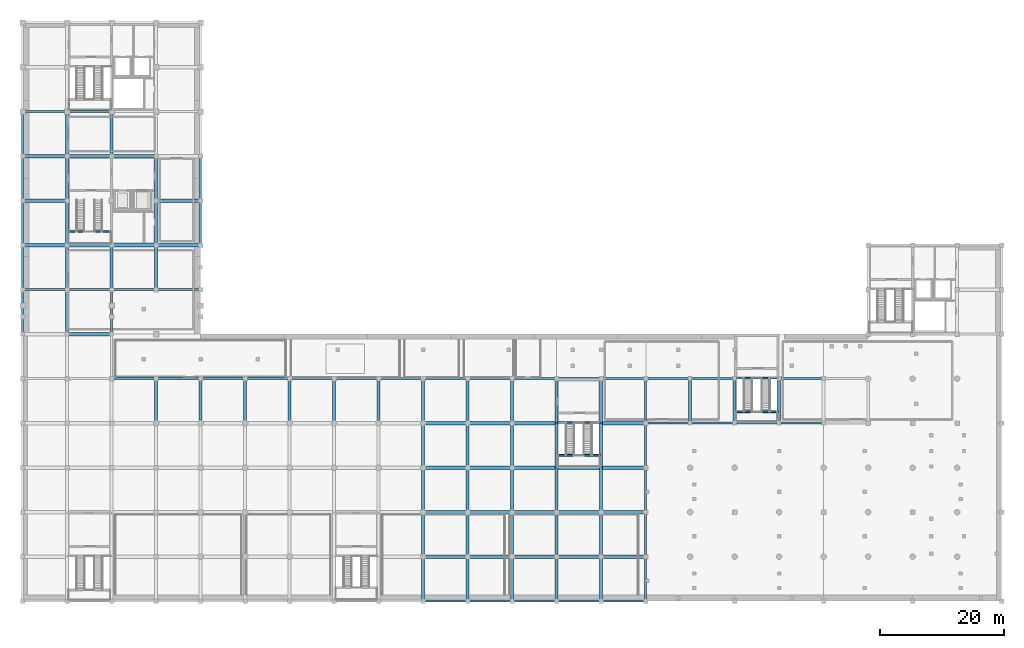
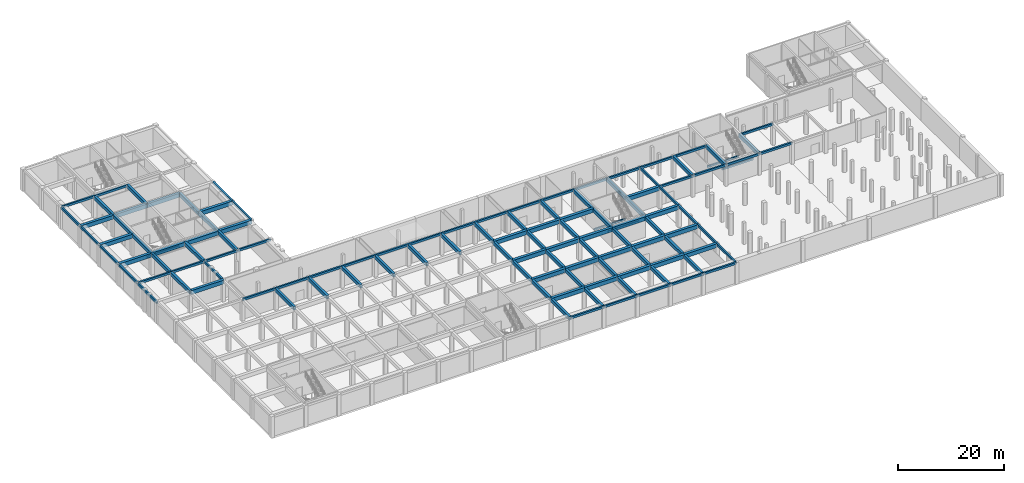
# One storey, part 3 of 15: 121 beams.
"""IFC4 building model written with IfcOpenShell, lengths in metres."""

from ifc_helpers import new_model, si_unit, direction, frame, origin, origin_2d, place, context, subcontext, project, spatial, rectangle, extrude, material, material_profile, profile_set, type_object, element, save


model = new_model("IFC4")

# Units and contexts
model_context = context("Model", 3, precision=1e-05, world=origin(), true_north=direction((0.0, 1.0)))
body_context = subcontext(model_context, "Body", "Model", "MODEL_VIEW")
ifc_project = project(units=[si_unit("LENGTHUNIT", "METRE"), si_unit("AREAUNIT", "SQUARE_METRE"), si_unit("VOLUMEUNIT", "CUBIC_METRE"), si_unit("PLANEANGLEUNIT", "RADIAN"), si_unit("MASSUNIT", "GRAM", prefix="KILO")], contexts=[model_context])

# Site, building, storey
site_placement = place(None, origin())
site = spatial("IfcSite", under=ifc_project, at=site_placement, CompositionType="ELEMENT")
building_placement = place(site_placement, origin())
building = spatial("IfcBuilding", under=site, at=building_placement, Name="Leyfeld Transit Interchange", CompositionType="ELEMENT")
storey_placement = place(building_placement, frame((0.0, 0.0, -5.39990234375)))
storey = spatial("IfcBuildingStorey", under=building, at=storey_placement, Name="B01", CompositionType="ELEMENT", Elevation=-5.39990234375)

# Beams
ifc_material = material(Name="Concrete C35/45", Category="concrete")
ifc_material_profile_1 = material_profile(ifc_material, rectangle(XDim=0.300048828125, YDim=0.39990234375, at=origin_2d()), Name="RC 400x300")
ifc_profile_set_1 = profile_set([ifc_material_profile_1], Name="Concrete C35/45")
beam_type_1 = type_object("IfcBeamType", Name="BM-RC-400x300", PredefinedType="LINTEL", material=ifc_profile_set_1)
beam_1_placement = place(storey_placement, frame((7.375, 74.199951171875, 2.5), z_axis=(1.0, 0.0, 0.0), x_axis=(0.0, 1.0, 0.0)))
element("IfcBeam", 1, at=beam_1_placement, inside=storey, type_object=beam_type_1, Name="Stair ST-03 B01 Half-Landing Corbel", PredefinedType="LINTEL", context=body_context, shape_type="SweptSolid", body=[
    extrude(rectangle(XDim=0.300048828125, YDim=0.39990234375, at=origin_2d()), origin(), (0.0, 0.0, 1.0), 7.02490234375),
])
for number, where, z_axis, x_axis, name in (
    (2, (86.56005859375, 43.300048828125, -0.2001953125), (1.0, 0.0, 0.0), (0.0, 1.0, 0.0), "Core K7 Floor Landing Corbel B01"),
    (3, (86.56005859375, 38.030029296875, 2.5), (1.0, 0.0, 0.0), (0.0, 1.0, 0.0), "Stair ST-07 B01 Half-Landing Corbel"),
):
    element("IfcBeam", number, at=place(storey_placement, frame(where, z_axis=z_axis, x_axis=x_axis)), inside=storey, type_object=beam_type_1, Name=name, PredefinedType="LINTEL", context=body_context, shape_type="SweptSolid", body=[
        extrude(rectangle(XDim=0.300048828125, YDim=0.39990234375, at=origin_2d()), origin(), (0.0, 0.0, 1.0), 6.8798828125),
    ])
for number, where, z_axis, x_axis, name in (
    (4, (115.385009765625, 50.5, -0.2001953125), (1.0, 0.0, 0.0), (0.0, 1.0, 0.0), "Core K9 Floor Landing Corbel B01"),
    (5, (115.385009765625, 45.06005859375, 2.5), (1.0, 0.0, 0.0), (0.0, 1.0, 0.0), "Stair ST-09 B01 Half-Landing Corbel"),
):
    element("IfcBeam", number, at=place(storey_placement, frame(where, z_axis=z_axis, x_axis=x_axis)), inside=storey, type_object=beam_type_1, Name=name, PredefinedType="LINTEL", context=body_context, shape_type="SweptSolid", body=[
        extrude(rectangle(XDim=0.300048828125, YDim=0.39990234375, at=origin_2d()), origin(), (0.0, 0.0, 1.0), 6.830078125),
    ])
ifc_material_profile_2 = material_profile(ifc_material, rectangle(XDim=0.35009765625, YDim=0.5, at=origin_2d()), Name="RC 500x350")
ifc_profile_set_2 = profile_set([ifc_material_profile_2], Name="Concrete C35/45")
beam_type_2 = type_object("IfcBeamType", Name="BM-RC-500x350", PredefinedType="SPANDREL", material=ifc_profile_set_2)
beam_2_placement = place(storey_placement, frame((100.800048828125, 14.39990234375, 4.699951171875), z_axis=(0.0, 1.0, 0.0), x_axis=(-1.0, 0.0, 0.0)))
element("IfcBeam", 6, at=beam_2_placement, inside=storey, type_object=beam_type_2, Name="Beam BM-B01-1008_0144-1008_0216", PredefinedType="SPANDREL", context=body_context, shape_type="SweptSolid", body=[
    extrude(rectangle(XDim=0.35009765625, YDim=0.5, at=origin_2d()), origin(), (0.0, 0.0, 1.0), 7.2001953125),
])
for number, where, z_axis, x_axis, name in (
    (7, (100.800048828125, 21.60009765625, 4.699951171875), (0.0, 1.0, 0.0), (-1.0, 0.0, 0.0), "Beam BM-B01-1008_0216-1008_0288"),
    (8, (100.800048828125, 28.800048828125, 4.699951171875), (0.0, 1.0, 0.0), (-1.0, 0.0, 0.0), "Beam BM-B01-1008_0288-1008_0360"),
    (9, (100.800048828125, 36.0, 4.699951171875), (0.0, 1.0, 0.0), (-1.0, 0.0, 0.0), "Beam BM-B01-1008_0360-1008_0432"),
    (10, (100.800048828125, 43.199951171875, 4.699951171875), (0.0, 1.0, 0.0), (-1.0, 0.0, 0.0), "Beam BM-B01-1008_0432-1008_0504"),
    (11, (64.800048828125, 14.39990234375, 4.699951171875), (1.0, 0.0, 0.0), (0.0, 1.0, 0.0), "Beam BM-B01-0648_0144-0720_0144"),
    (12, (72.0, 14.39990234375, 4.699951171875), (1.0, 0.0, 0.0), (0.0, 1.0, 0.0), "Beam BM-B01-0720_0144-0792_0144"),
    (13, (79.199951171875, 14.39990234375, 4.699951171875), (1.0, 0.0, 0.0), (0.0, 1.0, 0.0), "Beam BM-B01-0792_0144-0864_0144"),
):
    element("IfcBeam", number, at=place(storey_placement, frame(where, z_axis=z_axis, x_axis=x_axis)), inside=storey, type_object=beam_type_2, Name=name, PredefinedType="SPANDREL", context=body_context, shape_type="SweptSolid", body=[
        extrude(rectangle(XDim=0.35009765625, YDim=0.5, at=origin_2d()), origin(), (0.0, 0.0, 1.0), 7.199951171875),
    ])
beam_3_placement = place(storey_placement, frame((86.39990234375, 14.39990234375, 4.699951171875), z_axis=(1.0, 0.0, 0.0), x_axis=(0.0, 1.0, 0.0)))
element("IfcBeam", 14, at=beam_3_placement, inside=storey, type_object=beam_type_2, Name="Beam BM-B01-0864_0144-0936_0144", PredefinedType="SPANDREL", context=body_context, shape_type="SweptSolid", body=[
    extrude(rectangle(XDim=0.35009765625, YDim=0.5, at=origin_2d()), origin(), (0.0, 0.0, 1.0), 7.2001953125),
])
beam_4_placement = place(storey_placement, frame((93.60009765625, 14.39990234375, 4.699951171875), z_axis=(1.0, 0.0, 0.0), x_axis=(0.0, 1.0, 0.0)))
element("IfcBeam", 15, at=beam_4_placement, inside=storey, type_object=beam_type_2, Name="Beam BM-B01-0936_0144-1008_0144", PredefinedType="SPANDREL", context=body_context, shape_type="SweptSolid", body=[
    extrude(rectangle(XDim=0.35009765625, YDim=0.5, at=origin_2d()), origin(), (0.0, 0.0, 1.0), 7.199951171875),
])
beam_5_placement = place(storey_placement, frame((14.39990234375, 50.39990234375, 4.699951171875), z_axis=(1.0, 0.0, 0.0), x_axis=(0.0, 1.0, 0.0)))
element("IfcBeam", 16, at=beam_5_placement, inside=storey, type_object=beam_type_2, Name="Beam BM-B01-0144_0504-0216_0504", PredefinedType="SPANDREL", context=body_context, shape_type="SweptSolid", body=[
    extrude(rectangle(XDim=0.35009765625, YDim=0.5, at=origin_2d()), origin(), (0.0, 0.0, 1.0), 7.2001953125),
])
for number, where, z_axis, x_axis, name in (
    (17, (21.60009765625, 50.39990234375, 4.699951171875), (1.0, 0.0, 0.0), (0.0, 1.0, 0.0), "Beam BM-B01-0216_0504-0288_0504"),
    (18, (28.800048828125, 50.39990234375, 4.699951171875), (1.0, 0.0, 0.0), (0.0, 1.0, 0.0), "Beam BM-B01-0288_0504-0360_0504"),
    (19, (36.0, 50.39990234375, 4.699951171875), (1.0, 0.0, 0.0), (0.0, 1.0, 0.0), "Beam BM-B01-0360_0504-0432_0504"),
    (20, (43.199951171875, 50.39990234375, 4.699951171875), (1.0, 0.0, 0.0), (0.0, 1.0, 0.0), "Beam BM-B01-0432_0504-0504_0504"),
):
    element("IfcBeam", number, at=place(storey_placement, frame(where, z_axis=z_axis, x_axis=x_axis)), inside=storey, type_object=beam_type_2, Name=name, PredefinedType="SPANDREL", context=body_context, shape_type="SweptSolid", body=[
        extrude(rectangle(XDim=0.35009765625, YDim=0.5, at=origin_2d()), origin(), (0.0, 0.0, 1.0), 7.199951171875),
    ])
beam_6_placement = place(storey_placement, frame((50.39990234375, 50.39990234375, 4.699951171875), z_axis=(1.0, 0.0, 0.0), x_axis=(0.0, 1.0, 0.0)))
element("IfcBeam", 21, at=beam_6_placement, inside=storey, type_object=beam_type_2, Name="Beam BM-B01-0504_0504-0576_0504", PredefinedType="SPANDREL", context=body_context, shape_type="SweptSolid", body=[
    extrude(rectangle(XDim=0.35009765625, YDim=0.5, at=origin_2d()), origin(), (0.0, 0.0, 1.0), 7.2001953125),
])
for number, where, z_axis, x_axis, name in (
    (22, (57.60009765625, 50.39990234375, 4.699951171875), (1.0, 0.0, 0.0), (0.0, 1.0, 0.0), "Beam BM-B01-0576_0504-0648_0504"),
    (23, (64.800048828125, 50.39990234375, 4.699951171875), (1.0, 0.0, 0.0), (0.0, 1.0, 0.0), "Beam BM-B01-0648_0504-0720_0504"),
    (24, (72.0, 50.39990234375, 4.699951171875), (1.0, 0.0, 0.0), (0.0, 1.0, 0.0), "Beam BM-B01-0720_0504-0792_0504"),
    (25, (79.199951171875, 50.39990234375, 4.699951171875), (1.0, 0.0, 0.0), (0.0, 1.0, 0.0), "Beam BM-B01-0792_0504-0864_0504"),
):
    element("IfcBeam", number, at=place(storey_placement, frame(where, z_axis=z_axis, x_axis=x_axis)), inside=storey, type_object=beam_type_2, Name=name, PredefinedType="SPANDREL", context=body_context, shape_type="SweptSolid", body=[
        extrude(rectangle(XDim=0.35009765625, YDim=0.5, at=origin_2d()), origin(), (0.0, 0.0, 1.0), 7.199951171875),
    ])
beam_7_placement = place(storey_placement, frame((86.39990234375, 50.39990234375, 4.699951171875), z_axis=(1.0, 0.0, 0.0), x_axis=(0.0, 1.0, 0.0)))
element("IfcBeam", 26, at=beam_7_placement, inside=storey, type_object=beam_type_2, Name="Beam BM-B01-0864_0504-0936_0504", PredefinedType="SPANDREL", context=body_context, shape_type="SweptSolid", body=[
    extrude(rectangle(XDim=0.35009765625, YDim=0.5, at=origin_2d()), origin(), (0.0, 0.0, 1.0), 7.2001953125),
])
for number, where, z_axis, x_axis, name in (
    (27, (93.60009765625, 50.39990234375, 4.699951171875), (1.0, 0.0, 0.0), (0.0, 1.0, 0.0), "Beam BM-B01-0936_0504-1008_0504"),
    (28, (0.0, 64.800048828125, 4.699951171875), (0.0, 1.0, 0.0), (-1.0, 0.0, 0.0), "Beam BM-B01-0000_0648-0000_0720"),
    (29, (0.0, 72.0, 4.699951171875), (0.0, 1.0, 0.0), (-1.0, 0.0, 0.0), "Beam BM-B01-0000_0720-0000_0792"),
    (30, (0.0, 79.199951171875, 4.699951171875), (0.0, 1.0, 0.0), (-1.0, 0.0, 0.0), "Beam BM-B01-0000_0792-0000_0864"),
):
    element("IfcBeam", number, at=place(storey_placement, frame(where, z_axis=z_axis, x_axis=x_axis)), inside=storey, type_object=beam_type_2, Name=name, PredefinedType="SPANDREL", context=body_context, shape_type="SweptSolid", body=[
        extrude(rectangle(XDim=0.35009765625, YDim=0.5, at=origin_2d()), origin(), (0.0, 0.0, 1.0), 7.199951171875),
    ])
beam_8_placement = place(storey_placement, frame((0.0, 86.39990234375, 4.699951171875), z_axis=(0.0, 1.0, 0.0), x_axis=(-1.0, 0.0, 0.0)))
element("IfcBeam", 31, at=beam_8_placement, inside=storey, type_object=beam_type_2, Name="Beam BM-B01-0000_0864-0000_0936", PredefinedType="SPANDREL", context=body_context, shape_type="SweptSolid", body=[
    extrude(rectangle(XDim=0.35009765625, YDim=0.5, at=origin_2d()), origin(), (0.0, 0.0, 1.0), 7.2001953125),
])
for number, where, z_axis, x_axis, name in (
    (32, (28.800048828125, 72.0, 4.75), (0.0, 1.0, 0.0), (-1.0, 0.0, 0.0), "Beam BM-B01-0288_0720-0288_0792"),
    (33, (28.800048828125, 79.199951171875, 4.75), (0.0, 1.0, 0.0), (-1.0, 0.0, 0.0), "Beam BM-B01-0288_0792-0288_0864"),
    (34, (0.0, 64.800048828125, 4.75), (1.0, 0.0, 0.0), (0.0, 1.0, 0.0), "Beam BM-B01-0000_0648-0072_0648"),
    (35, (7.199951171875, 64.800048828125, 4.75), (1.0, 0.0, 0.0), (0.0, 1.0, 0.0), "Beam BM-B01-0072_0648-0144_0648"),
):
    element("IfcBeam", number, at=place(storey_placement, frame(where, z_axis=z_axis, x_axis=x_axis)), inside=storey, type_object=beam_type_2, Name=name, PredefinedType="SPANDREL", context=body_context, shape_type="SweptSolid", body=[
        extrude(rectangle(XDim=0.35009765625, YDim=0.5, at=origin_2d()), origin(), (0.0, 0.0, 1.0), 7.199951171875),
    ])
beam_9_placement = place(storey_placement, frame((14.39990234375, 64.800048828125, 4.699951171875), z_axis=(1.0, 0.0, 0.0), x_axis=(0.0, 1.0, 0.0)))
element("IfcBeam", 36, at=beam_9_placement, inside=storey, type_object=beam_type_2, Name="Beam BM-B01-0144_0648-0216_0648", PredefinedType="SPANDREL", context=body_context, shape_type="SweptSolid", body=[
    extrude(rectangle(XDim=0.35009765625, YDim=0.5, at=origin_2d()), origin(), (0.0, 0.0, 1.0), 7.2001953125),
])
for number, where, z_axis, x_axis, name in (
    (37, (21.60009765625, 64.800048828125, 4.699951171875), (1.0, 0.0, 0.0), (0.0, 1.0, 0.0), "Beam BM-B01-0216_0648-0288_0648"),
    (38, (0.0, 93.60009765625, 4.75), (1.0, 0.0, 0.0), (0.0, 1.0, 0.0), "Beam BM-B01-0000_0936-0072_0936"),
    (39, (7.199951171875, 93.60009765625, 4.75), (1.0, 0.0, 0.0), (0.0, 1.0, 0.0), "Beam BM-B01-0072_0936-0144_0936"),
    (40, (100.800048828125, 43.199951171875, 4.699951171875), (1.0, 0.0, 0.0), (0.0, 1.0, 0.0), "Beam BM-B01-1008_0432-1080_0432"),
    (41, (108.0, 43.199951171875, 4.699951171875), (1.0, 0.0, 0.0), (0.0, 1.0, 0.0), "Beam BM-B01-1080_0432-1152_0432"),
    (42, (115.199951171875, 43.199951171875, 4.699951171875), (1.0, 0.0, 0.0), (0.0, 1.0, 0.0), "Beam BM-B01-1152_0432-1224_0432"),
):
    element("IfcBeam", number, at=place(storey_placement, frame(where, z_axis=z_axis, x_axis=x_axis)), inside=storey, type_object=beam_type_2, Name=name, PredefinedType="SPANDREL", context=body_context, shape_type="SweptSolid", body=[
        extrude(rectangle(XDim=0.35009765625, YDim=0.5, at=origin_2d()), origin(), (0.0, 0.0, 1.0), 7.199951171875),
    ])
beam_10_placement = place(storey_placement, frame((122.39990234375, 43.199951171875, 4.699951171875), z_axis=(1.0, 0.0, 0.0), x_axis=(0.0, 1.0, 0.0)))
element("IfcBeam", 43, at=beam_10_placement, inside=storey, type_object=beam_type_2, Name="Beam BM-B01-1224_0432-1296_0432", PredefinedType="SPANDREL", context=body_context, shape_type="SweptSolid", body=[
    extrude(rectangle(XDim=0.35009765625, YDim=0.5, at=origin_2d()), origin(), (0.0, 0.0, 1.0), 7.2001953125),
])
for number, where, z_axis, x_axis, name in (
    (44, (100.800048828125, 50.39990234375, 4.699951171875), (1.0, 0.0, 0.0), (0.0, 1.0, 0.0), "Beam BM-B01-1008_0504-1080_0504"),
    (45, (108.0, 50.39990234375, 4.699951171875), (1.0, 0.0, 0.0), (0.0, 1.0, 0.0), "Beam BM-B01-1080_0504-1152_0504"),
):
    element("IfcBeam", number, at=place(storey_placement, frame(where, z_axis=z_axis, x_axis=x_axis)), inside=storey, type_object=beam_type_2, Name=name, PredefinedType="SPANDREL", context=body_context, shape_type="SweptSolid", body=[
        extrude(rectangle(XDim=0.35009765625, YDim=0.5, at=origin_2d()), origin(), (0.0, 0.0, 1.0), 7.199951171875),
    ])
beam_11_placement = place(storey_placement, frame((122.39990234375, 50.39990234375, 4.699951171875), z_axis=(1.0, 0.0, 0.0), x_axis=(0.0, 1.0, 0.0)))
element("IfcBeam", 46, at=beam_11_placement, inside=storey, type_object=beam_type_2, Name="Beam BM-B01-1224_0504-1296_0504", PredefinedType="SPANDREL", context=body_context, shape_type="SweptSolid", body=[
    extrude(rectangle(XDim=0.35009765625, YDim=0.5, at=origin_2d()), origin(), (0.0, 0.0, 1.0), 7.2001953125),
])
for number, where, z_axis, x_axis, name in (
    (47, (0.0, 57.60009765625, 4.699951171875), (0.0, 1.0, 0.0), (-1.0, 0.0, 0.0), "Beam BM-B01-0000_0576-0000_0648"),
    (48, (14.39990234375, 57.60009765625, 4.699951171875), (0.0, 1.0, 0.0), (-1.0, 0.0, 0.0), "Beam BM-B01-0144_0576-0144_0648"),
):
    element("IfcBeam", number, at=place(storey_placement, frame(where, z_axis=z_axis, x_axis=x_axis)), inside=storey, type_object=beam_type_2, Name=name, PredefinedType="SPANDREL", context=body_context, shape_type="SweptSolid", body=[
        extrude(rectangle(XDim=0.35009765625, YDim=0.5, at=origin_2d()), origin(), (0.0, 0.0, 1.0), 7.199951171875),
    ])
ifc_material_profile_3 = material_profile(ifc_material, rectangle(XDim=0.5, YDim=0.800048828125, at=origin_2d()), Name="RC 800x500")
ifc_profile_set_3 = profile_set([ifc_material_profile_3], Name="Concrete C35/45")
beam_type_3 = type_object("IfcBeamType", Name="BM-RC-800x500", PredefinedType="JOIST", material=ifc_profile_set_3)
for number, where, z_axis, x_axis, name in (
    (49, (21.60009765625, 43.199951171875, 4.5498046875), (0.0, 1.0, 0.0), (-1.0, 0.0, 0.0), "Beam BM-B01-0216_0432-0216_0504"),
    (50, (28.800048828125, 43.199951171875, 4.5498046875), (0.0, 1.0, 0.0), (-1.0, 0.0, 0.0), "Beam BM-B01-0288_0432-0288_0504"),
    (51, (36.0, 43.199951171875, 4.5498046875), (0.0, 1.0, 0.0), (-1.0, 0.0, 0.0), "Beam BM-B01-0360_0432-0360_0504"),
    (52, (43.199951171875, 43.199951171875, 4.5498046875), (0.0, 1.0, 0.0), (-1.0, 0.0, 0.0), "Beam BM-B01-0432_0432-0432_0504"),
    (53, (50.39990234375, 43.199951171875, 4.5498046875), (0.0, 1.0, 0.0), (-1.0, 0.0, 0.0), "Beam BM-B01-0504_0432-0504_0504"),
    (54, (57.60009765625, 43.199951171875, 4.5498046875), (0.0, 1.0, 0.0), (-1.0, 0.0, 0.0), "Beam BM-B01-0576_0432-0576_0504"),
):
    element("IfcBeam", number, at=place(storey_placement, frame(where, z_axis=z_axis, x_axis=x_axis)), inside=storey, type_object=beam_type_3, Name=name, PredefinedType="JOIST", context=body_context, shape_type="SweptSolid", body=[
        extrude(rectangle(XDim=0.5, YDim=0.800048828125, at=origin_2d()), origin(), (0.0, 0.0, 1.0), 7.199951171875),
    ])
beam_12_placement = place(storey_placement, frame((64.800048828125, 14.39990234375, 4.5498046875), z_axis=(0.0, 1.0, 0.0), x_axis=(-1.0, 0.0, 0.0)))
element("IfcBeam", 55, at=beam_12_placement, inside=storey, type_object=beam_type_3, Name="Beam BM-B01-0648_0144-0648_0216", PredefinedType="JOIST", context=body_context, shape_type="SweptSolid", body=[
    extrude(rectangle(XDim=0.5, YDim=0.800048828125, at=origin_2d()), origin(), (0.0, 0.0, 1.0), 7.2001953125),
])
for number, where, z_axis, x_axis, name in (
    (56, (64.800048828125, 21.60009765625, 4.5498046875), (0.0, 1.0, 0.0), (-1.0, 0.0, 0.0), "Beam BM-B01-0648_0216-0648_0288"),
    (57, (64.800048828125, 28.800048828125, 4.5498046875), (0.0, 1.0, 0.0), (-1.0, 0.0, 0.0), "Beam BM-B01-0648_0288-0648_0360"),
    (58, (64.800048828125, 36.0, 4.5498046875), (0.0, 1.0, 0.0), (-1.0, 0.0, 0.0), "Beam BM-B01-0648_0360-0648_0432"),
    (59, (64.800048828125, 43.199951171875, 4.5498046875), (0.0, 1.0, 0.0), (-1.0, 0.0, 0.0), "Beam BM-B01-0648_0432-0648_0504"),
):
    element("IfcBeam", number, at=place(storey_placement, frame(where, z_axis=z_axis, x_axis=x_axis)), inside=storey, type_object=beam_type_3, Name=name, PredefinedType="JOIST", context=body_context, shape_type="SweptSolid", body=[
        extrude(rectangle(XDim=0.5, YDim=0.800048828125, at=origin_2d()), origin(), (0.0, 0.0, 1.0), 7.199951171875),
    ])
beam_13_placement = place(storey_placement, frame((72.0, 14.39990234375, 4.5498046875), z_axis=(0.0, 1.0, 0.0), x_axis=(-1.0, 0.0, 0.0)))
element("IfcBeam", 60, at=beam_13_placement, inside=storey, type_object=beam_type_3, Name="Beam BM-B01-0720_0144-0720_0216", PredefinedType="JOIST", context=body_context, shape_type="SweptSolid", body=[
    extrude(rectangle(XDim=0.5, YDim=0.800048828125, at=origin_2d()), origin(), (0.0, 0.0, 1.0), 7.2001953125),
])
for number, where, z_axis, x_axis, name in (
    (61, (72.0, 21.60009765625, 4.5498046875), (0.0, 1.0, 0.0), (-1.0, 0.0, 0.0), "Beam BM-B01-0720_0216-0720_0288"),
    (62, (72.0, 28.800048828125, 4.5498046875), (0.0, 1.0, 0.0), (-1.0, 0.0, 0.0), "Beam BM-B01-0720_0288-0720_0360"),
    (63, (72.0, 36.0, 4.5498046875), (0.0, 1.0, 0.0), (-1.0, 0.0, 0.0), "Beam BM-B01-0720_0360-0720_0432"),
    (64, (72.0, 43.199951171875, 4.5498046875), (0.0, 1.0, 0.0), (-1.0, 0.0, 0.0), "Beam BM-B01-0720_0432-0720_0504"),
):
    element("IfcBeam", number, at=place(storey_placement, frame(where, z_axis=z_axis, x_axis=x_axis)), inside=storey, type_object=beam_type_3, Name=name, PredefinedType="JOIST", context=body_context, shape_type="SweptSolid", body=[
        extrude(rectangle(XDim=0.5, YDim=0.800048828125, at=origin_2d()), origin(), (0.0, 0.0, 1.0), 7.199951171875),
    ])
beam_14_placement = place(storey_placement, frame((79.199951171875, 14.39990234375, 4.5498046875), z_axis=(0.0, 1.0, 0.0), x_axis=(-1.0, 0.0, 0.0)))
element("IfcBeam", 65, at=beam_14_placement, inside=storey, type_object=beam_type_3, Name="Beam BM-B01-0792_0144-0792_0216", PredefinedType="JOIST", context=body_context, shape_type="SweptSolid", body=[
    extrude(rectangle(XDim=0.5, YDim=0.800048828125, at=origin_2d()), origin(), (0.0, 0.0, 1.0), 7.2001953125),
])
for number, where, z_axis, x_axis, name in (
    (66, (79.199951171875, 21.60009765625, 4.5498046875), (0.0, 1.0, 0.0), (-1.0, 0.0, 0.0), "Beam BM-B01-0792_0216-0792_0288"),
    (67, (79.199951171875, 28.800048828125, 4.5498046875), (0.0, 1.0, 0.0), (-1.0, 0.0, 0.0), "Beam BM-B01-0792_0288-0792_0360"),
    (68, (79.199951171875, 36.0, 4.5498046875), (0.0, 1.0, 0.0), (-1.0, 0.0, 0.0), "Beam BM-B01-0792_0360-0792_0432"),
    (69, (79.199951171875, 43.199951171875, 4.5498046875), (0.0, 1.0, 0.0), (-1.0, 0.0, 0.0), "Beam BM-B01-0792_0432-0792_0504"),
):
    element("IfcBeam", number, at=place(storey_placement, frame(where, z_axis=z_axis, x_axis=x_axis)), inside=storey, type_object=beam_type_3, Name=name, PredefinedType="JOIST", context=body_context, shape_type="SweptSolid", body=[
        extrude(rectangle(XDim=0.5, YDim=0.800048828125, at=origin_2d()), origin(), (0.0, 0.0, 1.0), 7.199951171875),
    ])
beam_15_placement = place(storey_placement, frame((86.39990234375, 14.39990234375, 4.5498046875), z_axis=(0.0, 1.0, 0.0), x_axis=(-1.0, 0.0, 0.0)))
element("IfcBeam", 70, at=beam_15_placement, inside=storey, type_object=beam_type_3, Name="Beam BM-B01-0864_0144-0864_0216", PredefinedType="JOIST", context=body_context, shape_type="SweptSolid", body=[
    extrude(rectangle(XDim=0.5, YDim=0.800048828125, at=origin_2d()), origin(), (0.0, 0.0, 1.0), 7.2001953125),
])
for number, where, z_axis, x_axis, name in (
    (71, (86.39990234375, 21.60009765625, 4.5498046875), (0.0, 1.0, 0.0), (-1.0, 0.0, 0.0), "Beam BM-B01-0864_0216-0864_0288"),
    (72, (86.39990234375, 28.800048828125, 4.5498046875), (0.0, 1.0, 0.0), (-1.0, 0.0, 0.0), "Beam BM-B01-0864_0288-0864_0360"),
    (73, (86.39990234375, 36.0, 4.5498046875), (0.0, 1.0, 0.0), (-1.0, 0.0, 0.0), "Beam BM-B01-0864_0360-0864_0432"),
    (74, (86.39990234375, 43.199951171875, 4.5498046875), (0.0, 1.0, 0.0), (-1.0, 0.0, 0.0), "Beam BM-B01-0864_0432-0864_0504"),
):
    element("IfcBeam", number, at=place(storey_placement, frame(where, z_axis=z_axis, x_axis=x_axis)), inside=storey, type_object=beam_type_3, Name=name, PredefinedType="JOIST", context=body_context, shape_type="SweptSolid", body=[
        extrude(rectangle(XDim=0.5, YDim=0.800048828125, at=origin_2d()), origin(), (0.0, 0.0, 1.0), 7.199951171875),
    ])
beam_16_placement = place(storey_placement, frame((93.60009765625, 14.39990234375, 4.5498046875), z_axis=(0.0, 1.0, 0.0), x_axis=(-1.0, 0.0, 0.0)))
element("IfcBeam", 75, at=beam_16_placement, inside=storey, type_object=beam_type_3, Name="Beam BM-B01-0936_0144-0936_0216", PredefinedType="JOIST", context=body_context, shape_type="SweptSolid", body=[
    extrude(rectangle(XDim=0.5, YDim=0.800048828125, at=origin_2d()), origin(), (0.0, 0.0, 1.0), 7.2001953125),
])
for number, where, z_axis, x_axis, name in (
    (76, (93.60009765625, 21.60009765625, 4.5498046875), (0.0, 1.0, 0.0), (-1.0, 0.0, 0.0), "Beam BM-B01-0936_0216-0936_0288"),
    (77, (93.60009765625, 28.800048828125, 4.5498046875), (0.0, 1.0, 0.0), (-1.0, 0.0, 0.0), "Beam BM-B01-0936_0288-0936_0360"),
    (78, (93.60009765625, 36.0, 4.5498046875), (0.0, 1.0, 0.0), (-1.0, 0.0, 0.0), "Beam BM-B01-0936_0360-0936_0432"),
    (79, (93.60009765625, 43.199951171875, 4.5498046875), (0.0, 1.0, 0.0), (-1.0, 0.0, 0.0), "Beam BM-B01-0936_0432-0936_0504"),
    (80, (7.199951171875, 64.800048828125, 4.599853515625), (0.0, 1.0, 0.0), (-1.0, 0.0, 0.0), "Beam BM-B01-0072_0648-0072_0720"),
    (81, (7.199951171875, 72.0, 4.599853515625), (0.0, 1.0, 0.0), (-1.0, 0.0, 0.0), "Beam BM-B01-0072_0720-0072_0792"),
    (82, (7.199951171875, 79.199951171875, 4.599853515625), (0.0, 1.0, 0.0), (-1.0, 0.0, 0.0), "Beam BM-B01-0072_0792-0072_0864"),
):
    element("IfcBeam", number, at=place(storey_placement, frame(where, z_axis=z_axis, x_axis=x_axis)), inside=storey, type_object=beam_type_3, Name=name, PredefinedType="JOIST", context=body_context, shape_type="SweptSolid", body=[
        extrude(rectangle(XDim=0.5, YDim=0.800048828125, at=origin_2d()), origin(), (0.0, 0.0, 1.0), 7.199951171875),
    ])
beam_17_placement = place(storey_placement, frame((7.199951171875, 86.39990234375, 4.599853515625), z_axis=(0.0, 1.0, 0.0), x_axis=(-1.0, 0.0, 0.0)))
element("IfcBeam", 83, at=beam_17_placement, inside=storey, type_object=beam_type_3, Name="Beam BM-B01-0072_0864-0072_0936", PredefinedType="JOIST", context=body_context, shape_type="SweptSolid", body=[
    extrude(rectangle(XDim=0.5, YDim=0.800048828125, at=origin_2d()), origin(), (0.0, 0.0, 1.0), 7.2001953125),
])
beam_18_placement = place(storey_placement, frame((14.39990234375, 64.800048828125, 4.599853515625), z_axis=(0.0, 1.0, 0.0), x_axis=(-1.0, 0.0, 0.0)))
element("IfcBeam", 84, at=beam_18_placement, inside=storey, type_object=beam_type_3, Name="Beam BM-B01-0144_0648-0144_0720", PredefinedType="JOIST", context=body_context, shape_type="SweptSolid", body=[
    extrude(rectangle(XDim=0.5, YDim=0.800048828125, at=origin_2d()), origin(), (0.0, 0.0, 1.0), 7.199951171875),
])
beam_19_placement = place(storey_placement, frame((14.39990234375, 86.39990234375, 4.599853515625), z_axis=(0.0, 1.0, 0.0), x_axis=(-1.0, 0.0, 0.0)))
element("IfcBeam", 85, at=beam_19_placement, inside=storey, type_object=beam_type_3, Name="Beam BM-B01-0144_0864-0144_0936", PredefinedType="JOIST", context=body_context, shape_type="SweptSolid", body=[
    extrude(rectangle(XDim=0.5, YDim=0.800048828125, at=origin_2d()), origin(), (0.0, 0.0, 1.0), 7.2001953125),
])
for number, where, z_axis, x_axis, name in (
    (86, (21.60009765625, 64.800048828125, 4.599853515625), (0.0, 1.0, 0.0), (-1.0, 0.0, 0.0), "Beam BM-B01-0216_0648-0216_0720"),
    (87, (21.60009765625, 72.0, 4.599853515625), (0.0, 1.0, 0.0), (-1.0, 0.0, 0.0), "Beam BM-B01-0216_0720-0216_0792"),
    (88, (21.60009765625, 79.199951171875, 4.599853515625), (0.0, 1.0, 0.0), (-1.0, 0.0, 0.0), "Beam BM-B01-0216_0792-0216_0864"),
    (89, (108.0, 43.199951171875, 4.639892578125), (0.0, 1.0, 0.0), (-1.0, 0.0, 0.0), "Beam BM-B01-1080_0432-1080_0504"),
    (90, (115.199951171875, 43.199951171875, 4.639892578125), (0.0, 1.0, 0.0), (-1.0, 0.0, 0.0), "Beam BM-B01-1152_0432-1152_0504"),
    (91, (122.39990234375, 43.199951171875, 4.639892578125), (0.0, 1.0, 0.0), (-1.0, 0.0, 0.0), "Beam BM-B01-1224_0432-1224_0504"),
    (92, (7.199951171875, 57.60009765625, 4.599853515625), (0.0, 1.0, 0.0), (-1.0, 0.0, 0.0), "Beam BM-B01-0072_0576-0072_0648"),
):
    element("IfcBeam", number, at=place(storey_placement, frame(where, z_axis=z_axis, x_axis=x_axis)), inside=storey, type_object=beam_type_3, Name=name, PredefinedType="JOIST", context=body_context, shape_type="SweptSolid", body=[
        extrude(rectangle(XDim=0.5, YDim=0.800048828125, at=origin_2d()), origin(), (0.0, 0.0, 1.0), 7.199951171875),
    ])
ifc_material_profile_4 = material_profile(ifc_material, rectangle(XDim=0.60009765625, YDim=0.89990234375, at=origin_2d()), Name="RC 900x600")
ifc_profile_set_4 = profile_set([ifc_material_profile_4], Name="Concrete C35/45")
beam_type_4 = type_object("IfcBeamType", Name="BM-RC-900x600", PredefinedType="JOIST", material=ifc_profile_set_4)
for number, where, z_axis, x_axis, name in (
    (93, (64.800048828125, 21.60009765625, 4.5), (1.0, 0.0, 0.0), (0.0, 1.0, 0.0), "Beam BM-B01-0648_0216-0720_0216"),
    (94, (72.0, 21.60009765625, 4.5), (1.0, 0.0, 0.0), (0.0, 1.0, 0.0), "Beam BM-B01-0720_0216-0792_0216"),
    (95, (79.199951171875, 21.60009765625, 4.5), (1.0, 0.0, 0.0), (0.0, 1.0, 0.0), "Beam BM-B01-0792_0216-0864_0216"),
):
    element("IfcBeam", number, at=place(storey_placement, frame(where, z_axis=z_axis, x_axis=x_axis)), inside=storey, type_object=beam_type_4, Name=name, PredefinedType="JOIST", context=body_context, shape_type="SweptSolid", body=[
        extrude(rectangle(XDim=0.60009765625, YDim=0.89990234375, at=origin_2d()), origin(), (0.0, 0.0, 1.0), 7.199951171875),
    ])
beam_20_placement = place(storey_placement, frame((86.39990234375, 21.60009765625, 4.5), z_axis=(1.0, 0.0, 0.0), x_axis=(0.0, 1.0, 0.0)))
element("IfcBeam", 96, at=beam_20_placement, inside=storey, type_object=beam_type_4, Name="Beam BM-B01-0864_0216-0936_0216", PredefinedType="JOIST", context=body_context, shape_type="SweptSolid", body=[
    extrude(rectangle(XDim=0.60009765625, YDim=0.89990234375, at=origin_2d()), origin(), (0.0, 0.0, 1.0), 7.2001953125),
])
for number, where, z_axis, x_axis, name in (
    (97, (93.60009765625, 21.60009765625, 4.5), (1.0, 0.0, 0.0), (0.0, 1.0, 0.0), "Beam BM-B01-0936_0216-1008_0216"),
    (98, (64.800048828125, 28.800048828125, 4.5), (1.0, 0.0, 0.0), (0.0, 1.0, 0.0), "Beam BM-B01-0648_0288-0720_0288"),
    (99, (72.0, 28.800048828125, 4.5), (1.0, 0.0, 0.0), (0.0, 1.0, 0.0), "Beam BM-B01-0720_0288-0792_0288"),
    (100, (79.199951171875, 28.800048828125, 4.5), (1.0, 0.0, 0.0), (0.0, 1.0, 0.0), "Beam BM-B01-0792_0288-0864_0288"),
):
    element("IfcBeam", number, at=place(storey_placement, frame(where, z_axis=z_axis, x_axis=x_axis)), inside=storey, type_object=beam_type_4, Name=name, PredefinedType="JOIST", context=body_context, shape_type="SweptSolid", body=[
        extrude(rectangle(XDim=0.60009765625, YDim=0.89990234375, at=origin_2d()), origin(), (0.0, 0.0, 1.0), 7.199951171875),
    ])
beam_21_placement = place(storey_placement, frame((86.39990234375, 28.800048828125, 4.5), z_axis=(1.0, 0.0, 0.0), x_axis=(0.0, 1.0, 0.0)))
element("IfcBeam", 101, at=beam_21_placement, inside=storey, type_object=beam_type_4, Name="Beam BM-B01-0864_0288-0936_0288", PredefinedType="JOIST", context=body_context, shape_type="SweptSolid", body=[
    extrude(rectangle(XDim=0.60009765625, YDim=0.89990234375, at=origin_2d()), origin(), (0.0, 0.0, 1.0), 7.2001953125),
])
for number, where, z_axis, x_axis, name in (
    (102, (93.60009765625, 28.800048828125, 4.5), (1.0, 0.0, 0.0), (0.0, 1.0, 0.0), "Beam BM-B01-0936_0288-1008_0288"),
    (103, (64.800048828125, 36.0, 4.5), (1.0, 0.0, 0.0), (0.0, 1.0, 0.0), "Beam BM-B01-0648_0360-0720_0360"),
    (104, (72.0, 36.0, 4.5), (1.0, 0.0, 0.0), (0.0, 1.0, 0.0), "Beam BM-B01-0720_0360-0792_0360"),
    (105, (79.199951171875, 36.0, 4.5), (1.0, 0.0, 0.0), (0.0, 1.0, 0.0), "Beam BM-B01-0792_0360-0864_0360"),
):
    element("IfcBeam", number, at=place(storey_placement, frame(where, z_axis=z_axis, x_axis=x_axis)), inside=storey, type_object=beam_type_4, Name=name, PredefinedType="JOIST", context=body_context, shape_type="SweptSolid", body=[
        extrude(rectangle(XDim=0.60009765625, YDim=0.89990234375, at=origin_2d()), origin(), (0.0, 0.0, 1.0), 7.199951171875),
    ])
beam_22_placement = place(storey_placement, frame((86.39990234375, 36.0, 4.5), z_axis=(1.0, 0.0, 0.0), x_axis=(0.0, 1.0, 0.0)))
element("IfcBeam", 106, at=beam_22_placement, inside=storey, type_object=beam_type_4, Name="Beam BM-B01-0864_0360-0936_0360", PredefinedType="JOIST", context=body_context, shape_type="SweptSolid", body=[
    extrude(rectangle(XDim=0.60009765625, YDim=0.89990234375, at=origin_2d()), origin(), (0.0, 0.0, 1.0), 7.2001953125),
])
for number, where, z_axis, x_axis, name in (
    (107, (93.60009765625, 36.0, 4.5), (1.0, 0.0, 0.0), (0.0, 1.0, 0.0), "Beam BM-B01-0936_0360-1008_0360"),
    (108, (64.800048828125, 43.199951171875, 4.5), (1.0, 0.0, 0.0), (0.0, 1.0, 0.0), "Beam BM-B01-0648_0432-0720_0432"),
    (109, (72.0, 43.199951171875, 4.5), (1.0, 0.0, 0.0), (0.0, 1.0, 0.0), "Beam BM-B01-0720_0432-0792_0432"),
    (110, (79.199951171875, 43.199951171875, 4.5), (1.0, 0.0, 0.0), (0.0, 1.0, 0.0), "Beam BM-B01-0792_0432-0864_0432"),
    (111, (93.60009765625, 43.199951171875, 4.5), (1.0, 0.0, 0.0), (0.0, 1.0, 0.0), "Beam BM-B01-0936_0432-1008_0432"),
    (112, (0.0, 72.0, 4.5498046875), (1.0, 0.0, 0.0), (0.0, 1.0, 0.0), "Beam BM-B01-0000_0720-0072_0720"),
    (113, (7.199951171875, 72.0, 4.5498046875), (1.0, 0.0, 0.0), (0.0, 1.0, 0.0), "Beam BM-B01-0072_0720-0144_0720"),
):
    element("IfcBeam", number, at=place(storey_placement, frame(where, z_axis=z_axis, x_axis=x_axis)), inside=storey, type_object=beam_type_4, Name=name, PredefinedType="JOIST", context=body_context, shape_type="SweptSolid", body=[
        extrude(rectangle(XDim=0.60009765625, YDim=0.89990234375, at=origin_2d()), origin(), (0.0, 0.0, 1.0), 7.199951171875),
    ])
beam_23_placement = place(storey_placement, frame((14.39990234375, 72.0, 4.5498046875), z_axis=(1.0, 0.0, 0.0), x_axis=(0.0, 1.0, 0.0)))
element("IfcBeam", 114, at=beam_23_placement, inside=storey, type_object=beam_type_4, Name="Beam BM-B01-0144_0720-0216_0720", PredefinedType="JOIST", context=body_context, shape_type="SweptSolid", body=[
    extrude(rectangle(XDim=0.60009765625, YDim=0.89990234375, at=origin_2d()), origin(), (0.0, 0.0, 1.0), 7.2001953125),
])
for number, where, z_axis, x_axis, name in (
    (115, (21.60009765625, 72.0, 4.5498046875), (1.0, 0.0, 0.0), (0.0, 1.0, 0.0), "Beam BM-B01-0216_0720-0288_0720"),
    (116, (0.0, 79.199951171875, 4.5498046875), (1.0, 0.0, 0.0), (0.0, 1.0, 0.0), "Beam BM-B01-0000_0792-0072_0792"),
    (117, (21.60009765625, 79.199951171875, 4.5498046875), (1.0, 0.0, 0.0), (0.0, 1.0, 0.0), "Beam BM-B01-0216_0792-0288_0792"),
    (118, (0.0, 86.39990234375, 4.5498046875), (1.0, 0.0, 0.0), (0.0, 1.0, 0.0), "Beam BM-B01-0000_0864-0072_0864"),
    (119, (7.199951171875, 86.39990234375, 4.5498046875), (1.0, 0.0, 0.0), (0.0, 1.0, 0.0), "Beam BM-B01-0072_0864-0144_0864"),
):
    element("IfcBeam", number, at=place(storey_placement, frame(where, z_axis=z_axis, x_axis=x_axis)), inside=storey, type_object=beam_type_4, Name=name, PredefinedType="JOIST", context=body_context, shape_type="SweptSolid", body=[
        extrude(rectangle(XDim=0.60009765625, YDim=0.89990234375, at=origin_2d()), origin(), (0.0, 0.0, 1.0), 7.199951171875),
    ])
beam_24_placement = place(storey_placement, frame((14.39990234375, 86.39990234375, 4.5498046875), z_axis=(1.0, 0.0, 0.0), x_axis=(0.0, 1.0, 0.0)))
element("IfcBeam", 120, at=beam_24_placement, inside=storey, type_object=beam_type_4, Name="Beam BM-B01-0144_0864-0216_0864", PredefinedType="JOIST", context=body_context, shape_type="SweptSolid", body=[
    extrude(rectangle(XDim=0.60009765625, YDim=0.89990234375, at=origin_2d()), origin(), (0.0, 0.0, 1.0), 7.2001953125),
])
beam_25_placement = place(storey_placement, frame((7.199951171875, 57.60009765625, 4.5498046875), z_axis=(1.0, 0.0, 0.0), x_axis=(0.0, 1.0, 0.0)))
element("IfcBeam", 121, at=beam_25_placement, inside=storey, type_object=beam_type_4, Name="Beam BM-B01-0072_0576-0144_0576", PredefinedType="JOIST", context=body_context, shape_type="SweptSolid", body=[
    extrude(rectangle(XDim=0.60009765625, YDim=0.89990234375, at=origin_2d()), origin(), (0.0, 0.0, 1.0), 7.199951171875),
])

save(model, "model.ifc")
